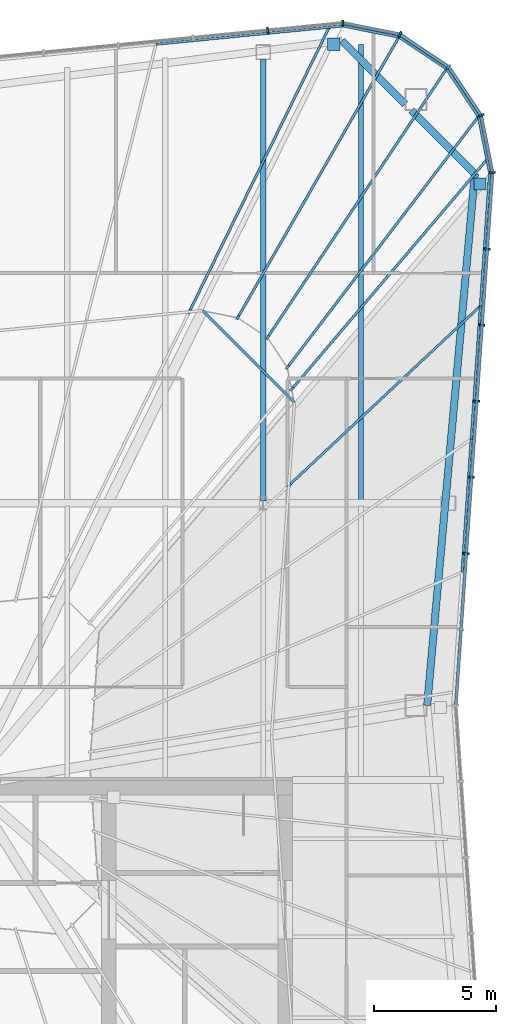
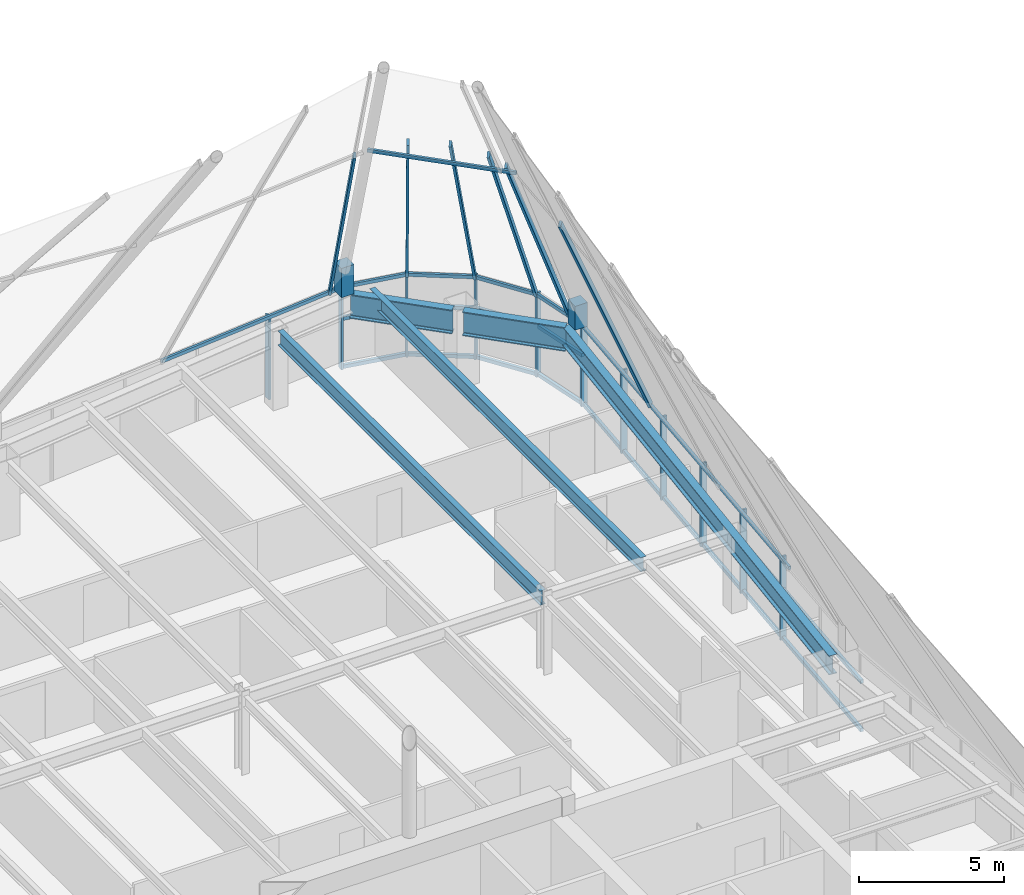
# One storey, part 18 of 28: 38 members, 5 beams, 12 elements without a shape of their own.
"""IFC4 building model written with IfcOpenShell, lengths in metres."""

import ifcopenshell
import ifcopenshell.guid

model = None  # the IFC model being written
_history = None  # IfcOwnerHistory: only IFC2X3 demands one
_inside = {}  # id of a spatial element -> (the spatial element, [elements in it])
_under = {}  # id of a project, library or spatial element -> (it, [spatial elements below it])
_declared = {}  # id of a project -> (the project, [libraries it declares])
_typed = {}  # id of a type object -> (the type object, [elements of that type])
_made_of = {}  # id of a material, layer set ... -> (it, [elements and type objects made of it])


def new_model(schema):
    """Start an empty IFC model of exactly this schema.

    Asked for "IFC4X3", IfcOpenShell would pick the latest addendum, in which some entities
    have other attributes; the version numbers below select the first issue.
    IFC2X3 requires an IfcOwnerHistory on every rooted entity: one is made here for all.
    """
    global model, _history
    if schema == "IFC4X3":
        model = ifcopenshell.file(schema_version=(4, 3, 0, 0))
    else:
        model = ifcopenshell.file(schema=schema)
    _inside.clear()
    _under.clear()
    _declared.clear()
    _typed.clear()
    _made_of.clear()
    _history = None
    if model.schema == "IFC2X3":
        org = make("IfcOrganization", Name="unknown")
        user = make(
            "IfcPersonAndOrganization",
            ThePerson=make("IfcPerson", FamilyName="unknown"),
            TheOrganization=org,
        )
        app = make(
            "IfcApplication",
            ApplicationDeveloper=org,
            Version="unknown",
            ApplicationFullName="unknown",
            ApplicationIdentifier="unknown",
        )
        _history = make(
            "IfcOwnerHistory",
            OwningUser=user,
            OwningApplication=app,
            ChangeAction="ADDED",
            CreationDate=0,
        )
    return model


def make(cls, **values):
    """One entity of the class cls with the attributes given. An attribute that is None is left unset."""
    return model.create_entity(
        cls, **{name: value for name, value in values.items() if value is not None}
    )


def rooted(cls, **values):
    """An entity with a GlobalId (a new one), such as an element, a storey or a relation."""
    return make(cls, GlobalId=ifcopenshell.guid.new(), OwnerHistory=_history, **values)


def si_unit(unit_type, name, prefix=None):
    """IfcSIUnit, for example si_unit("LENGTHUNIT", "METRE", prefix="MILLI")."""
    return make("IfcSIUnit", UnitType=unit_type, Prefix=prefix, Name=name)


def assignment(units):
    """IfcUnitAssignment: the units of a project."""
    return None if units is None else make("IfcUnitAssignment", Units=units)


def point(xyz):
    """IfcCartesianPoint."""
    return None if xyz is None else make("IfcCartesianPoint", Coordinates=xyz)


def direction(xyz):
    """IfcDirection."""
    return None if xyz is None else make("IfcDirection", DirectionRatios=xyz)


def frame(location, z_axis=None, x_axis=None):
    """IfcAxis2Placement3D, a coordinate frame: its origin and axes. An axis left out is left unset."""
    return make(
        "IfcAxis2Placement3D",
        Location=point(location),
        Axis=direction(z_axis),
        RefDirection=direction(x_axis),
    )


def frame_2d(location, x_axis=None):
    """IfcAxis2Placement2D, a coordinate frame in the plane: its origin and x axis."""
    return make(
        "IfcAxis2Placement2D", Location=point(location), RefDirection=direction(x_axis)
    )


def origin():
    """The frame at (0, 0, 0) with its axes left unset."""
    return frame((0.0, 0.0, 0.0))


def origin_2d():
    """The frame at (0, 0) in the plane with its x axis left unset."""
    return frame_2d((0.0, 0.0))


def place(relative_to, where):
    """IfcLocalPlacement: puts the frame where relative to a parent placement (None: the world)."""
    return make(
        "IfcLocalPlacement", PlacementRelTo=relative_to, RelativePlacement=where
    )


def context(
    kind, dimensions, precision=None, world=None, true_north=None, identifier=None
):
    """IfcGeometricRepresentationContext, for example the 3D "Model" context."""
    return make(
        "IfcGeometricRepresentationContext",
        ContextIdentifier=identifier,
        ContextType=kind,
        CoordinateSpaceDimension=dimensions,
        Precision=precision,
        WorldCoordinateSystem=world,
        TrueNorth=true_north,
    )


def subcontext(parent, identifier, kind, view, scale=None):
    """IfcGeometricRepresentationSubContext, for example "Body" below "Model"."""
    return make(
        "IfcGeometricRepresentationSubContext",
        ContextIdentifier=identifier,
        ContextType=kind,
        ParentContext=parent,
        TargetScale=scale,
        TargetView=view,
    )


def project(units=None, contexts=None):
    """IfcProject with its units and contexts."""
    return rooted(
        "IfcProject",
        Name="project",
        RepresentationContexts=contexts,
        UnitsInContext=assignment(units),
    )


def spatial(cls, under=None, at=None, **own):
    """A site, building, storey or space (cls), placed at a placement, below another one or the project."""
    s = rooted(cls, ObjectPlacement=at, **own)
    if under is not None:
        _under.setdefault(under.id(), (under, []))[1].append(s)
    return s


def profile(cls, at=None, kind="AREA", **sizes):
    """A parametric profile (cls). Its sizes go by their IFC names, for example OverallWidth=200.0."""
    return make(cls, ProfileType=kind, Position=at, **sizes)


def rectangle(**sizes):
    """IfcRectangleProfileDef."""
    return profile("IfcRectangleProfileDef", **sizes)


def i_section(**sizes):
    """IfcIShapeProfileDef."""
    return profile("IfcIShapeProfileDef", **sizes)


def extrude(swept, where, along, depth):
    """IfcExtrudedAreaSolid: the profile swept, set in the frame where, extruded along a direction by depth."""
    return make(
        "IfcExtrudedAreaSolid",
        SweptArea=swept,
        Position=where,
        ExtrudedDirection=direction(along),
        Depth=depth,
    )


def shape(context_of_items, identifier, shape_type, items):
    """IfcShapeRepresentation: the items that make up one representation, for example the "Body"."""
    return make(
        "IfcShapeRepresentation",
        ContextOfItems=context_of_items,
        RepresentationIdentifier=identifier,
        RepresentationType=shape_type,
        Items=items,
    )


def material(Name=None, Category=None):
    """IfcMaterial."""
    return make("IfcMaterial", Name=Name, Category=Category)


def layer(
    of_material, thickness, ventilated=None, Name=None, Category=None, Priority=None
):
    """IfcMaterialLayer: one layer of a wall or slab, of a material (None: an air gap)."""
    return make(
        "IfcMaterialLayer",
        Material=of_material,
        LayerThickness=thickness,
        IsVentilated=ventilated,
        Name=Name,
        Category=Category,
        Priority=Priority,
    )


def layer_set(layers, Name=None):
    """IfcMaterialLayerSet."""
    return make("IfcMaterialLayerSet", MaterialLayers=layers, LayerSetName=Name)


def material_profile(
    of_material, cross_section, Name=None, Category=None, Priority=None
):
    """IfcMaterialProfile: a cross section and its material."""
    return make(
        "IfcMaterialProfile",
        Name=Name,
        Material=of_material,
        Profile=cross_section,
        Priority=Priority,
        Category=Category,
    )


def profile_set(profiles, Name=None, composite=None):
    """IfcMaterialProfileSet."""
    return make(
        "IfcMaterialProfileSet",
        Name=Name,
        MaterialProfiles=profiles,
        CompositeProfile=composite,
    )


def made_of(thing, what):
    """Note that an element or type object is made of a material, layer set ...; save() writes the relation."""
    if what is not None:
        _made_of.setdefault(what.id(), (what, []))[1].append(thing)
    return thing


def type_object(cls, material=None, **own):
    """A type object (cls), such as IfcWallType, which elements share."""
    return made_of(rooted(cls, **own), material)


def element(
    cls,
    number,
    at=None,
    inside=None,
    cuts=None,
    type_object=None,
    material=None,
    context=None,
    identifier="Body",
    shape_type=None,
    held_by="IfcProductDefinitionShape",
    body=None,
    shapes=None,
    **own,
):
    """One element of the class cls, such as IfcWall. Its Tag is "e" and its number.

    at: its placement. inside: the storey or other place that contains it. cuts: it is an
    opening in that element (IfcRelVoidsElement). A single representation is given by context,
    identifier, shape_type and body (its items); several are given by shapes. held_by: the class
    of the entity that holds the representations. save() writes the other relations.
    """
    e = rooted(cls, Tag="e%d" % number, ObjectPlacement=at, **own)
    if body is not None:
        shapes = [shape(context, identifier, shape_type, body)]
    if shapes is not None:
        e.Representation = make(held_by, Representations=shapes)
    if inside is not None:
        _inside.setdefault(inside.id(), (inside, []))[1].append(e)
    if cuts is not None:
        rooted(
            "IfcRelVoidsElement", RelatingBuildingElement=cuts, RelatedOpeningElement=e
        )
    if type_object is not None:
        _typed.setdefault(type_object.id(), (type_object, []))[1].append(e)
    return made_of(e, material)


def aggregate(whole, parts):
    """IfcRelAggregates: a whole, such as a stair, and the parts it consists of."""
    return rooted("IfcRelAggregates", RelatingObject=whole, RelatedObjects=parts)


def save(model, path):
    """Write the relations noted so far, then the file.

    IfcRelAggregates (storeys below a building ...), IfcRelContainedInSpatialStructure (elements
    in a storey), IfcRelDefinesByType, IfcRelAssociatesMaterial and IfcRelDeclares: one each for
    every whole, place, type object, material and project.
    """
    for whole, parts in _under.values():
        aggregate(whole, parts)
    for where, things in _inside.values():
        rooted(
            "IfcRelContainedInSpatialStructure",
            RelatedElements=things,
            RelatingStructure=where,
        )
    for kind, things in _typed.values():
        rooted("IfcRelDefinesByType", RelatedObjects=things, RelatingType=kind)
    for what, things in _made_of.values():
        rooted("IfcRelAssociatesMaterial", RelatedObjects=things, RelatingMaterial=what)
    for by, libraries in _declared.values():
        rooted("IfcRelDeclares", RelatingContext=by, RelatedDefinitions=libraries)
    model.write(path)


model = new_model("IFC4")

# Units and contexts
model_context = context("Model", 3, precision=1e-05, world=origin(), true_north=direction((0.0, 1.0)))
body_context = subcontext(model_context, "Body", "Model", "MODEL_VIEW")
ifc_project = project(units=[si_unit("LENGTHUNIT", "METRE"), si_unit("AREAUNIT", "SQUARE_METRE"), si_unit("VOLUMEUNIT", "CUBIC_METRE"), si_unit("PLANEANGLEUNIT", "RADIAN"), si_unit("MASSUNIT", "GRAM", prefix="KILO")], contexts=[model_context])

# Site, building, storey
site_placement = place(None, origin())
site = spatial("IfcSite", under=ifc_project, at=site_placement, CompositionType="ELEMENT")
building_placement = place(site_placement, origin())
building = spatial("IfcBuilding", under=site, at=building_placement, Name="Verdant Reach Tower", CompositionType="ELEMENT")
storey_placement = place(building_placement, frame((0.0, 0.0, 368.0)))
storey = spatial("IfcBuildingStorey", under=building, at=storey_placement, Name="L83 Crown plant", CompositionType="ELEMENT", Elevation=368.0)

# Curtain wall, members
ifc_material_1 = material(Name="Anodised aluminium", Category="aluminium")
curtain_wall_type_1 = type_object("IfcCurtainWallType", Name="EN-CW SYSTEM PLANT", PredefinedType="NOTDEFINED", material=ifc_material_1)
curtain_wall_1_placement = place(storey_placement, origin())
curtain_wall_1 = element("IfcCurtainWall", 1, at=curtain_wall_1_placement, inside=storey, type_object=curtain_wall_type_1, Name="Curtain wall east, L83", PredefinedType="NOTDEFINED")
ifc_material_profile_1 = material_profile(ifc_material_1, rectangle(XDim=0.238037109375, YDim=0.080078125, at=origin_2d()), Name="Mullion 80x240")
ifc_profile_set_1 = profile_set([ifc_material_profile_1], Name="Anodised aluminium")
member_type_1 = type_object("IfcMemberType", Name="EN-MULLION PLANT", PredefinedType="MULLION", material=ifc_profile_set_1)
member_1_placement = place(storey_placement, frame((20.29736328125, 47.4560546875, -0.35009765625), z_axis=(0.0, 0.0, 1.0), x_axis=(0.997630328423, -0.068802091615, 0.0)))
member_1 = element("IfcMember", 2, at=member_1_placement, type_object=member_type_1, Name="Mullion east face part 2 3, L83", PredefinedType="MULLION", context=body_context, shape_type="SweptSolid", body=[
    extrude(rectangle(XDim=0.238037109375, YDim=0.080078125, at=origin_2d()), origin(), (0.0, 0.0, 1.0), 3.5),
])
member_2_placement = place(storey_placement, frame((20.511474609375, 50.563232421875, -0.35009765625), z_axis=(0.0, 0.0, 1.0), x_axis=(0.997630328423, -0.068802091615, 0.0)))
member_2 = element("IfcMember", 3, at=member_2_placement, type_object=member_type_1, Name="Mullion east face part 2 4, L83", PredefinedType="MULLION", context=body_context, shape_type="SweptSolid", body=[
    extrude(rectangle(XDim=0.238037109375, YDim=0.080078125, at=origin_2d()), origin(), (0.0, 0.0, 1.0), 3.5),
])
member_3_placement = place(storey_placement, frame((20.725830078125, 53.67041015625, -0.35009765625), z_axis=(0.0, 0.0, 1.0), x_axis=(0.997630328423, -0.068802091615, 0.0)))
member_3 = element("IfcMember", 4, at=member_3_placement, type_object=member_type_1, Name="Mullion east face part 2 5, L83", PredefinedType="MULLION", context=body_context, shape_type="SweptSolid", body=[
    extrude(rectangle(XDim=0.238037109375, YDim=0.080078125, at=origin_2d()), origin(), (0.0, 0.0, 1.0), 3.5),
])
member_4_placement = place(storey_placement, frame((20.940185546875, 56.777587890625, -0.35009765625), z_axis=(0.0, 0.0, 1.0), x_axis=(0.997630328423, -0.068802091615, 0.0)))
member_4 = element("IfcMember", 5, at=member_4_placement, type_object=member_type_1, Name="Mullion east face part 2 6, L83", PredefinedType="MULLION", context=body_context, shape_type="SweptSolid", body=[
    extrude(rectangle(XDim=0.238037109375, YDim=0.080078125, at=origin_2d()), origin(), (0.0, 0.0, 1.0), 3.5),
])
member_5_placement = place(storey_placement, frame((21.154541015625, 59.884765625, -0.35009765625), z_axis=(0.0, 0.0, 1.0), x_axis=(0.997630328423, -0.068802091615, 0.0)))
member_5 = element("IfcMember", 6, at=member_5_placement, type_object=member_type_1, Name="Mullion east face part 2 7, L83", PredefinedType="MULLION", context=body_context, shape_type="SweptSolid", body=[
    extrude(rectangle(XDim=0.238037109375, YDim=0.080078125, at=origin_2d()), origin(), (0.0, 0.0, 1.0), 3.5),
])

curtain_wall_2_placement = place(storey_placement, origin())
curtain_wall_2 = element("IfcCurtainWall", 7, at=curtain_wall_2_placement, inside=storey, type_object=curtain_wall_type_1, Name="Curtain wall north-east corner, L83", PredefinedType="NOTDEFINED")
member_6_placement = place(storey_placement, frame((21.36865234375, 63.007568359375, -0.35009765625), z_axis=(0.0, 0.0, 1.0), x_axis=(0.997969180898, 0.063698618332, 0.0)))
member_6 = element("IfcMember", 8, at=member_6_placement, type_object=member_type_1, Name="Mullion north-east corner 1, L83", PredefinedType="MULLION", context=body_context, shape_type="SweptSolid", body=[
    extrude(rectangle(XDim=0.238037109375, YDim=0.080078125, at=origin_2d()), origin(), (0.0, 0.0, 1.0), 3.5),
])
member_7_placement = place(storey_placement, frame((20.9033203125, 65.341552734375, -0.35009765625), z_axis=(0.0, 0.0, 1.0), x_axis=(0.923875215753, 0.382693853776, 0.0)))
member_7 = element("IfcMember", 9, at=member_7_placement, type_object=member_type_1, Name="Mullion north-east corner 2, L83", PredefinedType="MULLION", context=body_context, shape_type="SweptSolid", body=[
    extrude(rectangle(XDim=0.238037109375, YDim=0.080078125, at=origin_2d()), origin(), (0.0, 0.0, 1.0), 3.5),
])
member_8_placement = place(storey_placement, frame((19.57666015625, 67.32666015625, -0.35009765625), z_axis=(0.0, 0.0, 1.0), x_axis=(0.707106781187, 0.707106781187, 0.0)))
member_8 = element("IfcMember", 10, at=member_8_placement, type_object=member_type_1, Name="Mullion north-east corner 3, L83", PredefinedType="MULLION", context=body_context, shape_type="SweptSolid", body=[
    extrude(rectangle(XDim=0.238037109375, YDim=0.080078125, at=origin_2d()), origin(), (0.0, 0.0, 1.0), 3.5),
])
member_9_placement = place(storey_placement, frame((17.591552734375, 68.6533203125, -0.35009765625), z_axis=(0.0, 0.0, 1.0), x_axis=(0.382693853776, 0.923875215753, 0.0)))
member_9 = element("IfcMember", 11, at=member_9_placement, type_object=member_type_1, Name="Mullion north-east corner 4, L83", PredefinedType="MULLION", context=body_context, shape_type="SweptSolid", body=[
    extrude(rectangle(XDim=0.238037109375, YDim=0.080078125, at=origin_2d()), origin(), (0.0, 0.0, 1.0), 3.5),
])

curtain_wall_3_placement = place(storey_placement, origin())
curtain_wall_3 = element("IfcCurtainWall", 12, at=curtain_wall_3_placement, inside=storey, type_object=curtain_wall_type_1, Name="Curtain wall north, L83", PredefinedType="NOTDEFINED")
member_10_placement = place(storey_placement, frame((15.255859375, 69.118896484375, -0.35009765625), z_axis=(0.0, 0.0, 1.0), x_axis=(0.049127596288, 0.998792510626, 0.0)))
member_10 = element("IfcMember", 13, at=member_10_placement, type_object=member_type_1, Name="Mullion north face part 1 1, L83", PredefinedType="MULLION", context=body_context, shape_type="SweptSolid", body=[
    extrude(rectangle(XDim=0.238037109375, YDim=0.080078125, at=origin_2d()), origin(), (0.0, 0.0, 1.0), 3.5),
])
member_11_placement = place(storey_placement, frame((12.188232421875, 68.818359375, -0.35009765625), z_axis=(0.0, 0.0, 1.0), x_axis=(-0.09788826992, 0.995197410875, 0.0)))
member_11 = element("IfcMember", 14, at=member_11_placement, type_object=member_type_1, Name="Mullion north face part 1 2, L83", PredefinedType="MULLION", context=body_context, shape_type="SweptSolid", body=[
    extrude(rectangle(XDim=0.238037109375, YDim=0.080078125, at=origin_2d()), origin(), (0.0, 0.0, 1.0), 3.5),
])
aggregate(curtain_wall_3, [member_10, member_11])

# Curtain wall, member
curtain_wall_type_2 = type_object("IfcCurtainWallType", Name="EN-CW SYSTEM CROWN APEX", PredefinedType="NOTDEFINED", material=ifc_material_1)
curtain_wall_4_placement = place(storey_placement, origin())
curtain_wall_4 = element("IfcCurtainWall", 15, at=curtain_wall_4_placement, inside=storey, type_object=curtain_wall_type_2, Name="Crown glazing unit east face part 2 4, level 01", PredefinedType="NOTDEFINED")
ifc_material_profile_2 = material_profile(ifc_material_1, rectangle(XDim=0.10009765625, YDim=0.239990234375, at=origin_2d()), Name="Mullion 100x240")
ifc_profile_set_2 = profile_set([ifc_material_profile_2], Name="Anodised aluminium")
member_type_2 = type_object("IfcMemberType", Name="EN-RIB MULLION CROWN", PredefinedType="MULLION", material=ifc_profile_set_2)
member_12_placement = place(storey_placement, frame((20.875, 57.5625, 3.14990234375), z_axis=(-0.428484421162, -0.401543783903, 0.80942182478), x_axis=(0.683795774699, -0.729673446484, 0.0)))
member_12 = element("IfcMember", 16, at=member_12_placement, type_object=member_type_2, Name="Crown mullion east face part 2 4, level 01", PredefinedType="MULLION", context=body_context, shape_type="SweptSolid", body=[
    extrude(rectangle(XDim=0.10009765625, YDim=0.239990234375, at=origin_2d()), origin(), (0.0, 0.0, 1.0), 18.269287109375),
])

curtain_wall_5_placement = place(storey_placement, origin())
curtain_wall_5 = element("IfcCurtainWall", 17, at=curtain_wall_5_placement, inside=storey, type_object=curtain_wall_type_2, Name="Crown glazing unit north-east corner 1, level 01", PredefinedType="NOTDEFINED")
member_13_placement = place(storey_placement, frame((21.142822265625, 63.53955078125, 3.14990234375), z_axis=(-0.414239399635, -0.487340470159, 0.768703444727), x_axis=(0.761939317759, -0.647648420096, 0.0)))
member_13 = element("IfcMember", 18, at=member_13_placement, type_object=member_type_2, Name="Crown mullion north-east corner 1, level 01", PredefinedType="MULLION", context=body_context, shape_type="SweptSolid", body=[
    extrude(rectangle(XDim=0.10009765625, YDim=0.239990234375, at=origin_2d()), origin(), (0.0, 0.0, 1.0), 19.237060546875),
])

curtain_wall_6_placement = place(storey_placement, origin())
curtain_wall_6 = element("IfcCurtainWall", 19, at=curtain_wall_6_placement, inside=storey, type_object=curtain_wall_type_2, Name="Crown glazing unit north-east corner 2, level 01", PredefinedType="NOTDEFINED")
member_14_placement = place(storey_placement, frame((20.793212890625, 65.296142578125, 3.14990234375), z_axis=(-0.3977784095, -0.522188470633, 0.754381560004), x_axis=(0.795490078723, -0.605966611831, 0.0)))
member_14 = element("IfcMember", 20, at=member_14_placement, type_object=member_type_2, Name="Crown mullion north-east corner 2, level 01", PredefinedType="MULLION", context=body_context, shape_type="SweptSolid", body=[
    extrude(rectangle(XDim=0.10009765625, YDim=0.239990234375, at=origin_2d()), origin(), (0.0, 0.0, 1.0), 19.602294921875),
])

curtain_wall_7_placement = place(storey_placement, origin())
curtain_wall_7 = element("IfcCurtainWall", 21, at=curtain_wall_7_placement, inside=storey, type_object=curtain_wall_type_2, Name="Crown glazing unit north-east corner 3, level 01", PredefinedType="NOTDEFINED")
member_15_placement = place(storey_placement, frame((19.49267578125, 67.24267578125, 3.14990234375), z_axis=(-0.369031498017, -0.553615036119, 0.746542795327), x_axis=(0.832081642791, -0.554653170666, 0.0)))
member_15 = element("IfcMember", 22, at=member_15_placement, type_object=member_type_2, Name="Crown mullion north-east corner 3, level 01", PredefinedType="MULLION", context=body_context, shape_type="SweptSolid", body=[
    extrude(rectangle(XDim=0.10009765625, YDim=0.239990234375, at=origin_2d()), origin(), (0.0, 0.0, 1.0), 19.80810546875),
])

curtain_wall_8_placement = place(storey_placement, origin())
curtain_wall_8 = element("IfcCurtainWall", 23, at=curtain_wall_8_placement, inside=storey, type_object=curtain_wall_type_2, Name="Crown glazing unit north-east corner 4, level 01", PredefinedType="NOTDEFINED")
member_16_placement = place(storey_placement, frame((17.546142578125, 68.543212890625, 3.14990234375), z_axis=(-0.331844333351, -0.577646286031, 0.745790926907), x_axis=(0.867102315196, -0.498130078374, 0.0)))
member_16 = element("IfcMember", 24, at=member_16_placement, type_object=member_type_2, Name="Crown mullion north-east corner 4, level 01", PredefinedType="MULLION", context=body_context, shape_type="SweptSolid", body=[
    extrude(rectangle(XDim=0.10009765625, YDim=0.239990234375, at=origin_2d()), origin(), (0.0, 0.0, 1.0), 19.828125),
])

curtain_wall_9_placement = place(storey_placement, origin())
curtain_wall_9 = element("IfcCurtainWall", 25, at=curtain_wall_9_placement, inside=storey, type_object=curtain_wall_type_2, Name="Crown glazing unit north face part 1 1, level 01", PredefinedType="NOTDEFINED")
member_17_placement = place(storey_placement, frame((14.70263671875, 68.946044921875, 3.14990234375), z_axis=(-0.290881685623, -0.591300475692, 0.752164604601), x_axis=(0.897302982151, -0.441415176703, 0.0)))
member_17 = element("IfcMember", 26, at=member_17_placement, type_object=member_type_2, Name="Crown mullion north face part 1 1, level 01", PredefinedType="MULLION", context=body_context, shape_type="SweptSolid", body=[
    extrude(rectangle(XDim=0.10009765625, YDim=0.239990234375, at=origin_2d()), origin(), (0.0, 0.0, 1.0), 19.66015625),
])

curtain_wall_10_placement = place(storey_placement, origin())
curtain_wall_10 = element("IfcCurtainWall", 27, at=curtain_wall_10_placement, inside=storey, type_object=curtain_wall_type_2, Name="Crown glazing unit east face part 2 2, level 01", PredefinedType="NOTDEFINED")
ifc_material_profile_3 = material_profile(ifc_material_1, rectangle(XDim=0.10009765625, YDim=0.139892578125, at=origin_2d()), Name="Transom 140x100")
ifc_profile_set_3 = profile_set([ifc_material_profile_3], Name="Anodised aluminium")
member_type_3 = type_object("IfcMemberType", Name="EN-TRANSOM CROWN", PredefinedType="USERDEFINED", material=ifc_profile_set_3)
member_18_placement = place(storey_placement, frame((20.125, 46.6875, 3.14990234375), z_axis=(0.068802091615, 0.997630328423, 0.0), x_axis=(-0.997630328423, 0.068802091615, 0.0)))
member_18 = element("IfcMember", 28, at=member_18_placement, type_object=member_type_3, Name="Crown transom east face part 2 2, level 01", ObjectType="TRANSOM", PredefinedType="USERDEFINED", context=body_context, shape_type="SweptSolid", body=[
    extrude(rectangle(XDim=0.10009765625, YDim=0.139892578125, at=origin_2d()), origin(), (0.0, 0.0, 1.0), 5.450439453125),
])
aggregate(curtain_wall_10, [member_18])

curtain_wall_11_placement = place(storey_placement, origin())
curtain_wall_11 = element("IfcCurtainWall", 29, at=curtain_wall_11_placement, inside=storey, type_object=curtain_wall_type_2, Name="Crown glazing unit east face part 2 3, level 01", PredefinedType="NOTDEFINED")
member_19_placement = place(storey_placement, frame((20.5, 52.125, 3.14990234375), z_axis=(0.068802091615, 0.997630328423, 0.0), x_axis=(-0.997630328423, 0.068802091615, 0.0)))
member_19 = element("IfcMember", 30, at=member_19_placement, type_object=member_type_3, Name="Crown transom east face part 2 3, level 01", ObjectType="TRANSOM", PredefinedType="USERDEFINED", context=body_context, shape_type="SweptSolid", body=[
    extrude(rectangle(XDim=0.10009765625, YDim=0.139892578125, at=origin_2d()), origin(), (0.0, 0.0, 1.0), 5.450439453125),
])
aggregate(curtain_wall_11, [member_19])

# Member
member_20_placement = place(storey_placement, frame((20.875, 57.5625, 3.14990234375), z_axis=(0.068802091615, 0.997630328423, 0.0), x_axis=(-0.997630328423, 0.068802091615, 0.0)))
member_20 = element("IfcMember", 31, at=member_20_placement, type_object=member_type_3, Name="Crown transom east face part 2 4, level 01", ObjectType="TRANSOM", PredefinedType="USERDEFINED", context=body_context, shape_type="SweptSolid", body=[
    extrude(rectangle(XDim=0.10009765625, YDim=0.139892578125, at=origin_2d()), origin(), (0.0, 0.0, 1.0), 5.450439453125),
])

aggregate(curtain_wall_4, [member_12, member_20])

member_21_placement = place(storey_placement, frame((21.25, 63.0, 3.14990234375), z_axis=(-0.195113312377, 0.980780707056, 0.0), x_axis=(-0.980780707056, -0.195113312377, 0.0)))
member_21 = element("IfcMember", 32, at=member_21_placement, type_object=member_type_3, Name="Crown transom north-east corner 1, level 01", ObjectType="TRANSOM", PredefinedType="USERDEFINED", context=body_context, shape_type="SweptSolid", body=[
    extrude(rectangle(XDim=0.10009765625, YDim=0.139892578125, at=origin_2d()), origin(), (0.0, 0.0, 1.0), 2.341064453125),
])

aggregate(curtain_wall_5, [member_13, member_21])

member_22_placement = place(storey_placement, frame((20.793212890625, 65.296142578125, 3.14990234375), z_axis=(-0.55554223823, 0.831488317141, 0.0), x_axis=(-0.831488317141, -0.55554223823, 0.0)))
member_22 = element("IfcMember", 33, at=member_22_placement, type_object=member_type_3, Name="Crown transom north-east corner 2, level 01", ObjectType="TRANSOM", PredefinedType="USERDEFINED", context=body_context, shape_type="SweptSolid", body=[
    extrude(rectangle(XDim=0.10009765625, YDim=0.139892578125, at=origin_2d()), origin(), (0.0, 0.0, 1.0), 2.341064453125),
])

aggregate(curtain_wall_6, [member_14, member_22])

member_23_placement = place(storey_placement, frame((19.49267578125, 67.24267578125, 3.14990234375), z_axis=(-0.831488317141, 0.55554223823, 0.0), x_axis=(-0.55554223823, -0.831488317141, 0.0)))
member_23 = element("IfcMember", 34, at=member_23_placement, type_object=member_type_3, Name="Crown transom north-east corner 3, level 01", ObjectType="TRANSOM", PredefinedType="USERDEFINED", context=body_context, shape_type="SweptSolid", body=[
    extrude(rectangle(XDim=0.10009765625, YDim=0.139892578125, at=origin_2d()), origin(), (0.0, 0.0, 1.0), 2.341064453125),
])

aggregate(curtain_wall_7, [member_15, member_23])

member_24_placement = place(storey_placement, frame((17.546142578125, 68.543212890625, 3.14990234375), z_axis=(-0.980780707056, 0.195113312377, 0.0), x_axis=(-0.195113312377, -0.980780707056, 0.0)))
member_24 = element("IfcMember", 35, at=member_24_placement, type_object=member_type_3, Name="Crown transom north-east corner 4, level 01", ObjectType="TRANSOM", PredefinedType="USERDEFINED", context=body_context, shape_type="SweptSolid", body=[
    extrude(rectangle(XDim=0.10009765625, YDim=0.139892578125, at=origin_2d()), origin(), (0.0, 0.0, 1.0), 2.341064453125),
])

aggregate(curtain_wall_8, [member_16, member_24])

member_25_placement = place(storey_placement, frame((15.25, 69.0, 3.14990234375), z_axis=(-0.995197410875, -0.097888269922, 0.0), x_axis=(0.097888269922, -0.995197410875, 0.0)))
member_25 = element("IfcMember", 36, at=member_25_placement, type_object=member_type_3, Name="Crown transom north face part 1 1, level 01", ObjectType="TRANSOM", PredefinedType="USERDEFINED", context=body_context, shape_type="SweptSolid", body=[
    extrude(rectangle(XDim=0.10009765625, YDim=0.139892578125, at=origin_2d()), origin(), (0.0, 0.0, 1.0), 7.661865234375),
])

aggregate(curtain_wall_9, [member_17, member_25])

# Curtain wall, member
curtain_wall_12_placement = place(storey_placement, origin())
curtain_wall_12 = element("IfcCurtainWall", 37, at=curtain_wall_12_placement, inside=storey, type_object=curtain_wall_type_2, Name="Crown glazing unit north-east corner 1, level 02", PredefinedType="NOTDEFINED")
member_26_placement = place(storey_placement, frame((13.28125, 53.625, 17.9375), z_axis=(-0.707106781187, 0.707106781187, 0.0), x_axis=(-0.707106781187, -0.707106781187, 0.0)))
member_26 = element("IfcMember", 38, at=member_26_placement, type_object=member_type_3, Name="Crown transom north-east corner 1, level 02", ObjectType="TRANSOM", PredefinedType="USERDEFINED", context=body_context, shape_type="SweptSolid", body=[
    extrude(rectangle(XDim=0.10009765625, YDim=0.139892578125, at=origin_2d()), origin(), (0.0, 0.0, 1.0), 5.30322265625),
])
aggregate(curtain_wall_12, [member_26])

# Member
ifc_material_profile_4 = material_profile(ifc_material_1, rectangle(XDim=0.1201171875, YDim=0.14990234375, at=origin_2d()), Name="Transom 150x120")
ifc_profile_set_4 = profile_set([ifc_material_profile_4], Name="Anodised aluminium")
member_type_4 = type_object("IfcMemberType", Name="EN-TRANSOM PLANT", PredefinedType="USERDEFINED", material=ifc_profile_set_4)
member_27_placement = place(storey_placement, frame((19.871826171875, 41.289794921875, -0.27490234375), z_axis=(0.068761218296, 0.997633146431, 0.0), x_axis=(-0.997633146431, 0.068761218296, 0.0)))
member_27 = element("IfcMember", 39, at=member_27_placement, type_object=member_type_4, Name="Transom east face part 2 1.1, L83", ObjectType="TRANSOM", PredefinedType="USERDEFINED", context=body_context, shape_type="SweptSolid", body=[
    extrude(rectangle(XDim=0.1201171875, YDim=0.14990234375, at=origin_2d()), origin(), (0.0, 0.0, 1.0), 21.7294921875),
])

member_28_placement = place(storey_placement, frame((19.871826171875, 41.289794921875, 1.75), z_axis=(0.068761218296, 0.997633146431, 0.0), x_axis=(-0.997633146431, 0.068761218296, 0.0)))
member_28 = element("IfcMember", 40, at=member_28_placement, type_object=member_type_4, Name="Transom east face part 2 1.2, L83", ObjectType="TRANSOM", PredefinedType="USERDEFINED", context=body_context, shape_type="SweptSolid", body=[
    extrude(rectangle(XDim=0.1201171875, YDim=0.14990234375, at=origin_2d()), origin(), (0.0, 0.0, 1.0), 21.7294921875),
])

aggregate(curtain_wall_1, [member_1, member_2, member_3, member_4, member_5, member_27, member_28])

member_29_placement = place(storey_placement, frame((21.36083984375, 63.046875, -0.27490234375), z_axis=(-0.195524121666, 0.980698892549, 0.0), x_axis=(-0.980698892549, -0.195524121666, 0.0)))
member_29 = element("IfcMember", 41, at=member_29_placement, type_object=member_type_4, Name="Transom north-east corner 1.1, L83", ObjectType="TRANSOM", PredefinedType="USERDEFINED", context=body_context, shape_type="SweptSolid", body=[
    extrude(rectangle(XDim=0.1201171875, YDim=0.14990234375, at=origin_2d()), origin(), (0.0, 0.0, 1.0), 2.300048828125),
])

member_30_placement = place(storey_placement, frame((20.881103515625, 65.375, -0.27490234375), z_axis=(-0.5556764556, 0.831398626828, 0.0), x_axis=(-0.831398626828, -0.5556764556, 0.0)))
member_30 = element("IfcMember", 42, at=member_30_placement, type_object=member_type_4, Name="Transom north-east corner 2.1, L83", ObjectType="TRANSOM", PredefinedType="USERDEFINED", context=body_context, shape_type="SweptSolid", body=[
    extrude(rectangle(XDim=0.1201171875, YDim=0.14990234375, at=origin_2d()), origin(), (0.0, 0.0, 1.0), 2.3076171875),
])

member_31_placement = place(storey_placement, frame((19.54345703125, 67.348876953125, -0.27490234375), z_axis=(-0.831398626828, 0.5556764556, 0.0), x_axis=(-0.5556764556, -0.831398626828, 0.0)))
member_31 = element("IfcMember", 43, at=member_31_placement, type_object=member_type_4, Name="Transom north-east corner 3.1, L83", ObjectType="TRANSOM", PredefinedType="USERDEFINED", context=body_context, shape_type="SweptSolid", body=[
    extrude(rectangle(XDim=0.1201171875, YDim=0.14990234375, at=origin_2d()), origin(), (0.0, 0.0, 1.0), 2.3076171875),
])

member_32_placement = place(storey_placement, frame((17.552490234375, 68.6611328125, -0.27490234375), z_axis=(-0.980706937788, 0.195483764476, 0.0), x_axis=(-0.195483764476, -0.980706937788, 0.0)))
member_32 = element("IfcMember", 44, at=member_32_placement, type_object=member_type_4, Name="Transom north-east corner 4.1, L83", ObjectType="TRANSOM", PredefinedType="USERDEFINED", context=body_context, shape_type="SweptSolid", body=[
    extrude(rectangle(XDim=0.1201171875, YDim=0.14990234375, at=origin_2d()), origin(), (0.0, 0.0, 1.0), 2.3017578125),
])

member_33_placement = place(storey_placement, frame((21.36083984375, 63.046875, 1.75), z_axis=(-0.195524121666, 0.980698892549, 0.0), x_axis=(-0.980698892549, -0.195524121666, 0.0)))
member_33 = element("IfcMember", 45, at=member_33_placement, type_object=member_type_4, Name="Transom north-east corner 1.2, L83", ObjectType="TRANSOM", PredefinedType="USERDEFINED", context=body_context, shape_type="SweptSolid", body=[
    extrude(rectangle(XDim=0.1201171875, YDim=0.14990234375, at=origin_2d()), origin(), (0.0, 0.0, 1.0), 2.300048828125),
])

member_34_placement = place(storey_placement, frame((20.881103515625, 65.375, 1.75), z_axis=(-0.5556764556, 0.831398626828, 0.0), x_axis=(-0.831398626828, -0.5556764556, 0.0)))
member_34 = element("IfcMember", 46, at=member_34_placement, type_object=member_type_4, Name="Transom north-east corner 2.2, L83", ObjectType="TRANSOM", PredefinedType="USERDEFINED", context=body_context, shape_type="SweptSolid", body=[
    extrude(rectangle(XDim=0.1201171875, YDim=0.14990234375, at=origin_2d()), origin(), (0.0, 0.0, 1.0), 2.3076171875),
])

member_35_placement = place(storey_placement, frame((19.54345703125, 67.348876953125, 1.75), z_axis=(-0.831398626828, 0.5556764556, 0.0), x_axis=(-0.5556764556, -0.831398626828, 0.0)))
member_35 = element("IfcMember", 47, at=member_35_placement, type_object=member_type_4, Name="Transom north-east corner 3.2, L83", ObjectType="TRANSOM", PredefinedType="USERDEFINED", context=body_context, shape_type="SweptSolid", body=[
    extrude(rectangle(XDim=0.1201171875, YDim=0.14990234375, at=origin_2d()), origin(), (0.0, 0.0, 1.0), 2.3076171875),
])

member_36_placement = place(storey_placement, frame((17.552490234375, 68.6611328125, 1.75), z_axis=(-0.980706937788, 0.195483764476, 0.0), x_axis=(-0.195483764476, -0.980706937788, 0.0)))
member_36 = element("IfcMember", 48, at=member_36_placement, type_object=member_type_4, Name="Transom north-east corner 4.2, L83", ObjectType="TRANSOM", PredefinedType="USERDEFINED", context=body_context, shape_type="SweptSolid", body=[
    extrude(rectangle(XDim=0.1201171875, YDim=0.14990234375, at=origin_2d()), origin(), (0.0, 0.0, 1.0), 2.3017578125),
])

aggregate(curtain_wall_2, [member_6, member_7, member_8, member_9, member_29, member_30, member_31, member_32, member_33, member_34, member_35, member_36])

# Beams
ifc_material_2 = material(Name="Steel S355", Category="steel")
ifc_material_profile_5 = material_profile(ifc_material_2, i_section(OverallWidth=0.219970703125, OverallDepth=0.60009765625, WebThickness=0.011962890625, FlangeThickness=0.01904296875, FilletRadius=0.02392578125, at=origin_2d()), Name="IPE 600")
ifc_profile_set_5 = profile_set([ifc_material_profile_5], Name="Steel S355")
beam_type_1 = type_object("IfcBeamType", Name="ST-JOIST-IPE600", PredefinedType="JOIST", material=ifc_profile_set_5)
beam_1_placement = place(storey_placement, frame((12.0, 49.60009765625, 3.0), z_axis=(0.0, 1.0, 0.0), x_axis=(-1.0, 0.0, 0.0)))
element("IfcBeam", 49, at=beam_1_placement, inside=storey, type_object=beam_type_1, Name="Floor joist, L83 Crown plant", PredefinedType="JOIST", context=body_context, shape_type="SweptSolid", body=[
    extrude(i_section(OverallWidth=0.219970703125, OverallDepth=0.60009765625, WebThickness=0.011962890625, FlangeThickness=0.01904296875, FilletRadius=0.02392578125, at=origin_2d()), origin(), (0.0, 0.0, 1.0), 18.0302734375),
])
beam_2_placement = place(storey_placement, frame((16.0, 49.60009765625, 3.0), z_axis=(0.0, 1.0, 0.0), x_axis=(-1.0, 0.0, 0.0)))
element("IfcBeam", 50, at=beam_2_placement, inside=storey, type_object=beam_type_1, Name="Floor joist, L83 Crown plant", PredefinedType="JOIST", context=body_context, shape_type="SweptSolid", body=[
    extrude(i_section(OverallWidth=0.219970703125, OverallDepth=0.60009765625, WebThickness=0.011962890625, FlangeThickness=0.01904296875, FilletRadius=0.02392578125, at=origin_2d()), origin(), (0.0, 0.0, 1.0), 18.638916015625),
])

# Members
ifc_material_3 = material(Name="Steel S460", Category="steel")
ifc_layer = layer(ifc_material_3, 0.5)
ifc_layer_set = layer_set([ifc_layer], Name="ST-NODE-FOOT")
member_type_5 = type_object("IfcMemberType", Name="ST-NODE-FOOT", PredefinedType="POST", material=ifc_layer_set)
member_37_placement = place(storey_placement, frame((20.861328125, 62.542724609375, 3.5), z_axis=(0.0, 0.0, 1.0), x_axis=(1.0, 0.0, 0.0)))
element("IfcMember", 51, at=member_37_placement, inside=storey, type_object=member_type_5, Name="Crown rib foot node 4", PredefinedType="POST", context=body_context, shape_type="SweptSolid", body=[
    extrude(rectangle(XDim=0.5, YDim=0.5, at=origin_2d()), origin(), (0.0, 0.0, 1.0), 1.004150390625),
])
member_38_placement = place(storey_placement, frame((14.880859375, 68.24951171875, 3.5), z_axis=(0.0, 0.0, 1.0), x_axis=(1.0, 0.0, 0.0)))
element("IfcMember", 52, at=member_38_placement, inside=storey, type_object=member_type_5, Name="Crown rib foot node 5", PredefinedType="POST", context=body_context, shape_type="SweptSolid", body=[
    extrude(rectangle(XDim=0.5, YDim=0.5, at=origin_2d()), origin(), (0.0, 0.0, 1.0), 1.23193359375),
])

# Beams
ifc_material_profile_6 = material_profile(ifc_material_2, i_section(OverallWidth=0.300048828125, OverallDepth=0.800048828125, WebThickness=0.017578125, FlangeThickness=0.032958984375, FilletRadius=0.030029296875, at=origin_2d()), Name="HEB 800")
ifc_profile_set_6 = profile_set([ifc_material_profile_6], Name="Steel S355")
beam_type_2 = type_object("IfcBeamType", Name="ST-SPANDREL-HEB800", PredefinedType="SPANDREL", material=ifc_profile_set_6)
beam_3_placement = place(storey_placement, frame((20.64599609375, 62.96142578125, 2.89990234375), z_axis=(-0.089274399498, -0.996007069048, 0.0), x_axis=(0.996007069048, -0.089274399498, 0.0)))
element("IfcBeam", 53, at=beam_3_placement, inside=storey, type_object=beam_type_2, Name="Edge beam, L83 Crown plant", PredefinedType="SPANDREL", context=body_context, shape_type="SweptSolid", body=[
    extrude(i_section(OverallWidth=0.300048828125, OverallDepth=0.800048828125, WebThickness=0.017578125, FlangeThickness=0.032958984375, FilletRadius=0.030029296875, at=origin_2d()), origin(), (0.0, 0.0, 1.0), 21.798583984375),
])
ifc_material_profile_7 = material_profile(ifc_material_2, i_section(OverallWidth=0.302001953125, OverallDepth=1.008056640625, WebThickness=0.02099609375, FlangeThickness=0.0400390625, FilletRadius=0.030029296875, at=origin_2d()), Name="HEM 1000")
ifc_profile_set_7 = profile_set([ifc_material_profile_7], Name="Steel S355")
beam_type_3 = type_object("IfcBeamType", Name="ST-SPANDREL-HEM1000", PredefinedType="SPANDREL", material=ifc_profile_set_7)
beam_4_placement = place(storey_placement, frame((15.22021484375, 68.394287109375, 2.7958984375), z_axis=(0.706638520854, -0.707574731632, 0.0), x_axis=(0.707574731632, 0.706638520854, 0.0)))
element("IfcBeam", 54, at=beam_4_placement, inside=storey, type_object=beam_type_3, Name="Edge beam, L83 Crown plant", PredefinedType="SPANDREL", context=body_context, shape_type="SweptSolid", body=[
    extrude(i_section(OverallWidth=0.302001953125, OverallDepth=1.008056640625, WebThickness=0.02099609375, FlangeThickness=0.0400390625, FilletRadius=0.030029296875, at=origin_2d()), origin(), (0.0, 0.0, 1.0), 3.65087890625),
])
beam_5_placement = place(storey_placement, frame((18.060791015625, 65.550048828125, 2.7958984375), z_axis=(0.706639493403, -0.707573760369, 0.0), x_axis=(0.707573760369, 0.706639493403, 0.0)))
element("IfcBeam", 55, at=beam_5_placement, inside=storey, type_object=beam_type_3, Name="Edge beam, L83 Crown plant", PredefinedType="SPANDREL", context=body_context, shape_type="SweptSolid", body=[
    extrude(i_section(OverallWidth=0.302001953125, OverallDepth=1.008056640625, WebThickness=0.02099609375, FlangeThickness=0.0400390625, FilletRadius=0.030029296875, at=origin_2d()), origin(), (0.0, 0.0, 1.0), 3.658447265625),
])

save(model, "model.ifc")
